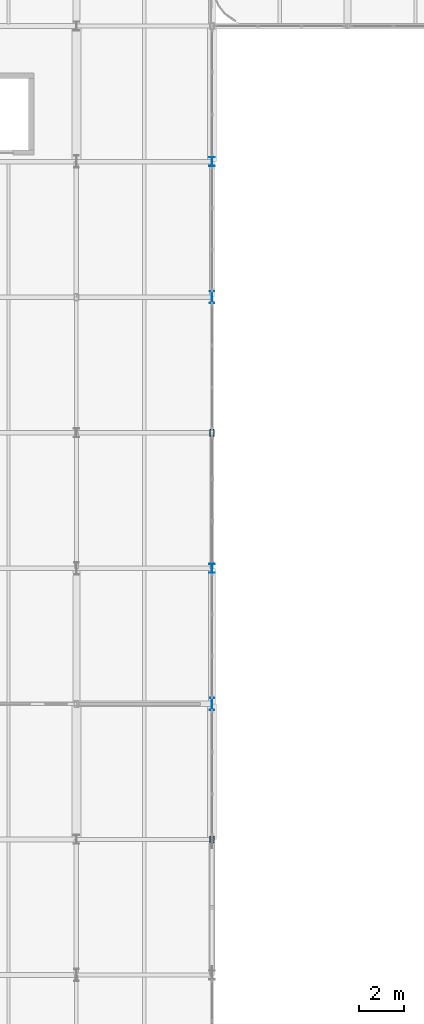
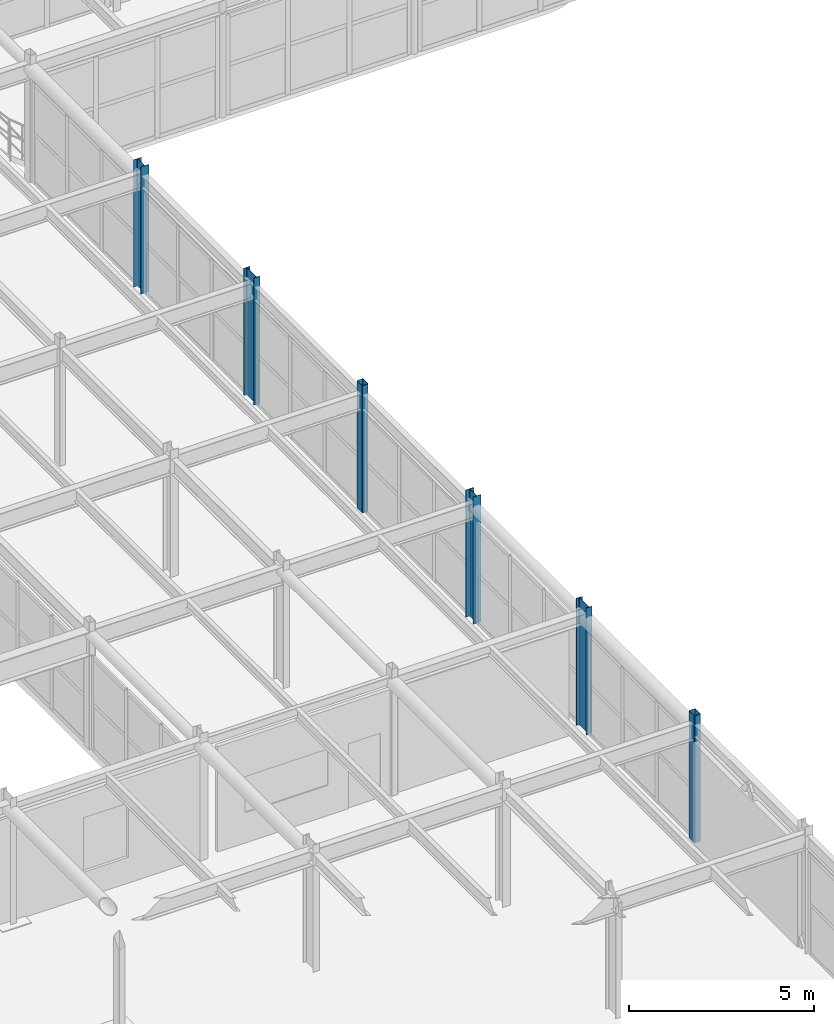
# One storey, part 6 of 116: 6 columns.
"""IFC4 building model written with IfcOpenShell, lengths in metres."""

from ifc_helpers import new_model, si_unit, direction, frame, origin, origin_2d, place, context, subcontext, project, spatial, hollow_rectangle, i_section, extrude, material, material_profile, profile_set, type_object, element, save


model = new_model("IFC4")

# Units and contexts
model_context = context("Model", 3, precision=1e-05, world=origin(), true_north=direction((0.0, 1.0)))
body_context = subcontext(model_context, "Body", "Model", "MODEL_VIEW")
ifc_project = project(units=[si_unit("LENGTHUNIT", "METRE"), si_unit("AREAUNIT", "SQUARE_METRE"), si_unit("VOLUMEUNIT", "CUBIC_METRE"), si_unit("PLANEANGLEUNIT", "RADIAN"), si_unit("MASSUNIT", "GRAM", prefix="KILO")], contexts=[model_context])

# Site, building, storey
site_placement = place(None, origin())
site = spatial("IfcSite", under=ifc_project, at=site_placement, CompositionType="ELEMENT")
building_placement = place(site_placement, origin())
building = spatial("IfcBuilding", under=site, at=building_placement, Name="Varnakota Square Police Headquarters", CompositionType="ELEMENT")
storey_placement = place(building_placement, frame((0.0, 0.0, 9.300048828125)))
storey = spatial("IfcBuildingStorey", under=building, at=storey_placement, Name="L02", CompositionType="ELEMENT", Elevation=9.300048828125)

# Columns
ifc_material = material(Name="Steel IS 2062 Grade 350", Category="steel")
ifc_material_profile_1 = material_profile(ifc_material, i_section(OverallWidth=0.25, OverallDepth=0.39990234375, WebThickness=0.010498046875, FlangeThickness=0.0126953125, FilletRadius=0.013916015625, at=origin_2d()), Name="ISHB 400")
ifc_profile_set_1 = profile_set([ifc_material_profile_1], Name="Steel IS 2062 Grade 350")
column_type_1 = type_object("IfcColumnType", Name="COL-ISHB400", PredefinedType="COLUMN", material=ifc_profile_set_1)
for number, where, z_axis, x_axis, name in (
    (1, (42.0, 45.0, 0.0), (0.0, 0.0, 1.0), (1.0, 0.0, 0.0), "Column X0420-Y0450 L02"),
    (2, (42.0, 63.0, 0.0), (0.0, 0.0, 1.0), (1.0, 0.0, 0.0), "Column X0420-Y0630 L02"),
):
    element("IfcColumn", number, at=place(storey_placement, frame(where, z_axis=z_axis, x_axis=x_axis)), inside=storey, type_object=column_type_1, Name=name, PredefinedType="COLUMN", context=body_context, shape_type="SweptSolid", body=[
        extrude(i_section(OverallWidth=0.25, OverallDepth=0.39990234375, WebThickness=0.010498046875, FlangeThickness=0.0126953125, FilletRadius=0.013916015625, at=origin_2d()), origin(), (0.0, 0.0, 1.0), 4.199951171875),
    ])
ifc_material_profile_2 = material_profile(ifc_material, i_section(OverallWidth=0.18994140625, OverallDepth=0.550048828125, WebThickness=0.01123046875, FlangeThickness=0.019287109375, FilletRadius=0.01806640625, at=origin_2d()), Name="ISMB 550")
ifc_profile_set_2 = profile_set([ifc_material_profile_2], Name="Steel IS 2062 Grade 350")
column_type_2 = type_object("IfcColumnType", Name="COL-ISMB550", PredefinedType="COLUMN", material=ifc_profile_set_2)
for number, where, z_axis, x_axis, name in (
    (3, (42.0, 39.0, 0.0), (0.0, 0.0, 1.0), (1.0, 0.0, 0.0), "Column X0420-Y0390 L02"),
    (4, (42.0, 57.0, 0.0), (0.0, 0.0, 1.0), (1.0, 0.0, 0.0), "Column X0420-Y0570 L02"),
):
    element("IfcColumn", number, at=place(storey_placement, frame(where, z_axis=z_axis, x_axis=x_axis)), inside=storey, type_object=column_type_2, Name=name, PredefinedType="COLUMN", context=body_context, shape_type="SweptSolid", body=[
        extrude(i_section(OverallWidth=0.18994140625, OverallDepth=0.550048828125, WebThickness=0.01123046875, FlangeThickness=0.019287109375, FilletRadius=0.01806640625, at=origin_2d()), origin(), (0.0, 0.0, 1.0), 4.199951171875),
    ])
ifc_material_profile_3 = material_profile(ifc_material, hollow_rectangle(XDim=0.199951171875, YDim=0.300048828125, WallThickness=0.011962890625, InnerFilletRadius=0.011962890625, OuterFilletRadius=0.02392578125, at=origin_2d()), Name="RHS 300x200x12")
ifc_profile_set_3 = profile_set([ifc_material_profile_3], Name="Steel IS 2062 Grade 350")
column_type_3 = type_object("IfcColumnType", Name="COL-RHS300", PredefinedType="COLUMN", material=ifc_profile_set_3)
for number, where, z_axis, x_axis, name in (
    (5, (42.0, 33.0, 0.0), (0.0, 0.0, 1.0), (1.0, 0.0, 0.0), "Column X0420-Y0330 L02"),
    (6, (42.0, 51.0, 0.0), (0.0, 0.0, 1.0), (1.0, 0.0, 0.0), "Column X0420-Y0510 L02"),
):
    element("IfcColumn", number, at=place(storey_placement, frame(where, z_axis=z_axis, x_axis=x_axis)), inside=storey, type_object=column_type_3, Name=name, PredefinedType="COLUMN", context=body_context, shape_type="SweptSolid", body=[
        extrude(hollow_rectangle(XDim=0.199951171875, YDim=0.300048828125, WallThickness=0.011962890625, InnerFilletRadius=0.011962890625, OuterFilletRadius=0.02392578125, at=origin_2d()), origin(), (0.0, 0.0, 1.0), 4.199951171875),
    ])

save(model, "model.ifc")
